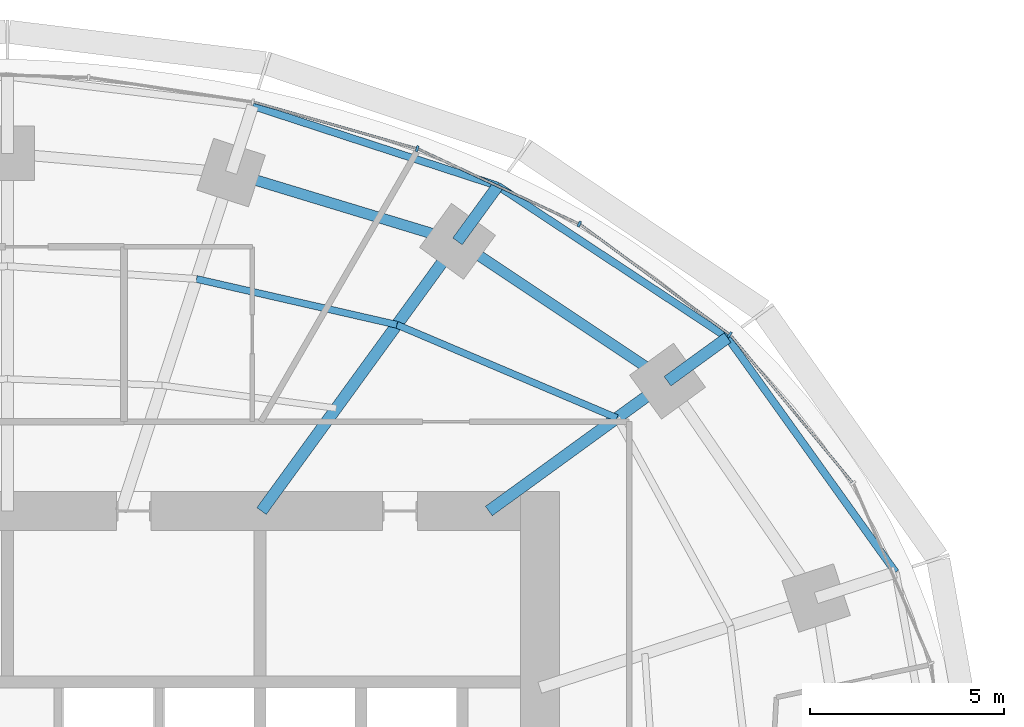
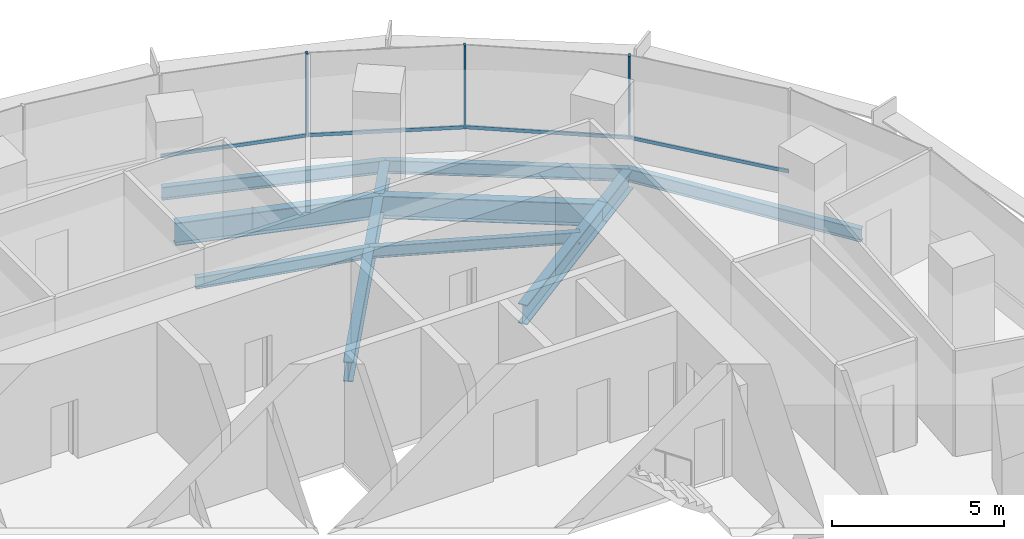
# One storey, part 8 of 14: 11 beams, 7 members, 2 elements without a shape of their own.
"""IFC4 building model written with IfcOpenShell, lengths in metres."""

from ifc_helpers import new_model, si_unit, direction, frame, origin, origin_2d, place, context, subcontext, project, spatial, rectangle, i_section, extrude, material, material_profile, profile_set, type_object, element, aggregate, save


model = new_model("IFC4")

# Units and contexts
model_context = context("Model", 3, precision=1e-05, world=origin(), true_north=direction((0.0, 1.0)))
body_context = subcontext(model_context, "Body", "Model", "MODEL_VIEW")
ifc_project = project(units=[si_unit("LENGTHUNIT", "METRE"), si_unit("AREAUNIT", "SQUARE_METRE"), si_unit("VOLUMEUNIT", "CUBIC_METRE"), si_unit("PLANEANGLEUNIT", "RADIAN"), si_unit("MASSUNIT", "GRAM", prefix="KILO")], contexts=[model_context])

# Site, building, storey
site_placement = place(None, origin())
site = spatial("IfcSite", under=ifc_project, at=site_placement, CompositionType="ELEMENT")
building_placement = place(site_placement, origin())
building = spatial("IfcBuilding", under=site, at=building_placement, Name="Marramba Exchange Tower", CompositionType="ELEMENT")
storey_placement = place(building_placement, frame((0.0, 0.0, 195.5)))
storey = spatial("IfcBuildingStorey", under=building, at=storey_placement, Name="L47", CompositionType="ELEMENT", Elevation=195.5)

# Beams
ifc_material_1 = material(Name="Steel AS/NZS 3679.2 grade 300", Category="steel")
ifc_material_profile_1 = material_profile(ifc_material_1, i_section(OverallWidth=0.300048828125, OverallDepth=0.699951171875, WebThickness=0.010009765625, FlangeThickness=0.031982421875, at=origin_2d()), Name="700WB173")
ifc_profile_set_1 = profile_set([ifc_material_profile_1], Name="Steel AS/NZS 3679.2 grade 300")
beam_type_1 = type_object("IfcBeamType", Name="Cantilever girder 700WB173", PredefinedType="BEAM", material=ifc_profile_set_1)
beam_1_placement = place(storey_placement, frame((16.98583984375, 12.3408203125, -0.510009765625), z_axis=(0.808962750283, 0.587859905636, 0.0), x_axis=(-0.587859905636, 0.808962750283, 0.0)))
element("IfcBeam", 1, at=beam_1_placement, inside=storey, type_object=beam_type_1, Name="Cantilever girder L47 TC03", PredefinedType="BEAM", context=body_context, shape_type="SweptSolid", body=[
    extrude(i_section(OverallWidth=0.300048828125, OverallDepth=0.699951171875, WebThickness=0.010009765625, FlangeThickness=0.031982421875, at=origin_2d()), origin(), (0.0, 0.0, 1.0), 1.9091796875),
])
beam_2_placement = place(storey_placement, frame((11.581298828125, 15.9404296875, -0.510009765625), z_axis=(0.587817766387, 0.808993370504, 0.0), x_axis=(-0.808993370504, 0.587817766387, 0.0)))
element("IfcBeam", 2, at=beam_2_placement, inside=storey, type_object=beam_type_1, Name="Cantilever girder L47 TC04", PredefinedType="BEAM", context=body_context, shape_type="SweptSolid", body=[
    extrude(i_section(OverallWidth=0.300048828125, OverallDepth=0.699951171875, WebThickness=0.010009765625, FlangeThickness=0.031982421875, at=origin_2d()), origin(), (0.0, 0.0, 1.0), 1.763916015625),
])
ifc_material_2 = material(Name="Steel AS/NZS 3679.1 grade 300", Category="steel")
ifc_material_profile_2 = material_profile(ifc_material_2, i_section(OverallWidth=0.177978515625, OverallDepth=0.406005859375, WebThickness=0.0078125, FlangeThickness=0.0126953125, FilletRadius=0.011474609375, at=origin_2d()), Name="410UB59.7")
ifc_profile_set_2 = profile_set([ifc_material_profile_2], Name="Steel AS/NZS 3679.1 grade 300")
beam_type_2 = type_object("IfcBeamType", Name="Floor joist 410UB59.7", PredefinedType="JOIST", material=ifc_profile_set_2)
beam_3_placement = place(storey_placement, frame((15.682373046875, 11.393798828125, -0.363037109375), z_axis=(-0.920674336375, 0.390331610738, 0.0), x_axis=(-0.390331610738, -0.920674336375, 0.0)))
element("IfcBeam", 3, at=beam_3_placement, inside=storey, type_object=beam_type_2, Name="Joist L47 bay 03 row 2", PredefinedType="JOIST", context=body_context, shape_type="SweptSolid", body=[
    extrude(i_section(OverallWidth=0.177978515625, OverallDepth=0.406005859375, WebThickness=0.0078125, FlangeThickness=0.0126953125, FilletRadius=0.011474609375, at=origin_2d()), origin(), (0.0, 0.0, 1.0), 6.1484375),
])
beam_4_placement = place(storey_placement, frame((10.021728515625, 13.793701171875, -0.363037109375), z_axis=(-0.974859652292, 0.222819788916, 0.0), x_axis=(-0.222819788916, -0.974859652292, 0.0)))
element("IfcBeam", 4, at=beam_4_placement, inside=storey, type_object=beam_type_2, Name="Joist L47 bay 04 row 2", PredefinedType="JOIST", context=body_context, shape_type="SweptSolid", body=[
    extrude(i_section(OverallWidth=0.177978515625, OverallDepth=0.406005859375, WebThickness=0.0078125, FlangeThickness=0.0126953125, FilletRadius=0.011474609375, at=origin_2d()), origin(), (0.0, 0.0, 1.0), 5.2900390625),
])

# Curtain wall, members
ifc_material_3 = material(Name="Aluminium framing, bronze anodised", Category="aluminium")
curtain_wall_type = type_object("IfcCurtainWallType", Name="Office ribbon curtain wall", PredefinedType="USERDEFINED", material=ifc_material_3)
curtain_wall_1_placement = place(storey_placement, origin())
curtain_wall_1 = element("IfcCurtainWall", 5, at=curtain_wall_1_placement, inside=storey, type_object=curtain_wall_type, Name="Curtain wall CW4 L47 F01-F05", ObjectType="RIBBON CURTAIN WALL", PredefinedType="USERDEFINED")
ifc_material_4 = material(Name="Aluminium mullion, bronze anodised", Category="aluminium")
ifc_material_profile_3 = material_profile(ifc_material_4, rectangle(XDim=0.159912109375, YDim=0.06005859375, at=origin_2d()), Name="CW4 mullion 60x160")
ifc_profile_set_3 = profile_set([ifc_material_profile_3], Name="Aluminium mullion, bronze anodised")
member_type_1 = type_object("IfcMemberType", Name="Office ribbon curtain wall mullion", PredefinedType="MULLION", material=ifc_profile_set_3)
member_1_placement = place(storey_placement, frame((18.587158203125, 13.53955078125, 0.800048828125), z_axis=(0.0, 0.0, 1.0), x_axis=(-0.593441317494, -0.804877259395, 0.0)))
member_1 = element("IfcMember", 6, at=member_1_placement, type_object=member_type_1, Name="CW4 mullion 1", PredefinedType="MULLION", context=body_context, shape_type="SweptSolid", body=[
    extrude(rectangle(XDim=0.159912109375, YDim=0.06005859375, at=origin_2d()), origin(), (0.0, 0.0, 1.0), 2.93994140625),
])
member_2_placement = place(storey_placement, frame((14.7158203125, 16.386474609375, 0.800048828125), z_axis=(0.0, 0.0, 1.0), x_axis=(-0.422133006189, -0.906533907301, 0.0)))
member_2 = element("IfcMember", 7, at=member_2_placement, type_object=member_type_1, Name="CW4 mullion 1", PredefinedType="MULLION", context=body_context, shape_type="SweptSolid", body=[
    extrude(rectangle(XDim=0.159912109375, YDim=0.06005859375, at=origin_2d()), origin(), (0.0, 0.0, 1.0), 2.93994140625),
])

# Curtain wall, member
curtain_wall_2_placement = place(storey_placement, origin())
curtain_wall_2 = element("IfcCurtainWall", 8, at=curtain_wall_2_placement, inside=storey, type_object=curtain_wall_type, Name="Curtain wall CW4 L47 F06-F10", ObjectType="RIBBON CURTAIN WALL", PredefinedType="USERDEFINED")
member_3_placement = place(storey_placement, frame((10.54541015625, 18.3232421875, 0.800048828125), z_axis=(0.0, 0.0, 1.0), x_axis=(-0.274248164656, -0.961658954195, 0.0)))
member_3 = element("IfcMember", 9, at=member_3_placement, type_object=member_type_1, Name="CW4 mullion 1", PredefinedType="MULLION", context=body_context, shape_type="SweptSolid", body=[
    extrude(rectangle(XDim=0.159912109375, YDim=0.06005859375, at=origin_2d()), origin(), (0.0, 0.0, 1.0), 2.93994140625),
])

# Member
ifc_material_5 = material(Name="Aluminium transom, bronze anodised", Category="aluminium")
ifc_material_profile_4 = material_profile(ifc_material_5, rectangle(XDim=0.06005859375, YDim=0.1201171875, at=origin_2d()), Name="CW4 transom 60x120")
ifc_profile_set_4 = profile_set([ifc_material_profile_4], Name="Aluminium transom, bronze anodised")
member_type_2 = type_object("IfcMemberType", Name="Office ribbon curtain wall transom", PredefinedType="USERDEFINED", material=ifc_profile_set_4)
member_4_placement = place(storey_placement, frame((21.73779296875, 9.74169921875, 0.830078125), z_axis=(-0.637375191043, 0.770553609973, 0.0), x_axis=(-0.770553609973, -0.637375191043, 0.0)))
member_4 = element("IfcMember", 10, at=member_4_placement, type_object=member_type_2, Name="CW4 sill transom", ObjectType="TRANSOM", PredefinedType="USERDEFINED", context=body_context, shape_type="SweptSolid", body=[
    extrude(rectangle(XDim=0.06005859375, YDim=0.1201171875, at=origin_2d()), origin(), (0.0, 0.0, 1.0), 4.905517578125),
])

member_5_placement = place(storey_placement, frame((18.56298828125, 13.557373046875, 0.830078125), z_axis=(-0.804874780157, 0.593444680039, 0.0), x_axis=(-0.593444680039, -0.804874780157, 0.0)))
member_5 = element("IfcMember", 11, at=member_5_placement, type_object=member_type_2, Name="CW4 sill transom", ObjectType="TRANSOM", PredefinedType="USERDEFINED", context=body_context, shape_type="SweptSolid", body=[
    extrude(rectangle(XDim=0.06005859375, YDim=0.1201171875, at=origin_2d()), origin(), (0.0, 0.0, 1.0), 4.745849609375),
])

member_6_placement = place(storey_placement, frame((14.688720703125, 16.399169921875, 0.830078125), z_axis=(-0.906548348139, 0.422101992989, 0.0), x_axis=(-0.422101992989, -0.906548348139, 0.0)))
member_6 = element("IfcMember", 12, at=member_6_placement, type_object=member_type_2, Name="CW4 sill transom", ObjectType="TRANSOM", PredefinedType="USERDEFINED", context=body_context, shape_type="SweptSolid", body=[
    extrude(rectangle(XDim=0.06005859375, YDim=0.1201171875, at=origin_2d()), origin(), (0.0, 0.0, 1.0), 4.53857421875),
])

aggregate(curtain_wall_1, [member_4, member_1, member_5, member_2, member_6])

member_7_placement = place(storey_placement, frame((10.5166015625, 18.33154296875, 0.830078125), z_axis=(-0.961661807825, 0.274238158125, 0.0), x_axis=(-0.274238158125, -0.961661807825, 0.0)))
member_7 = element("IfcMember", 13, at=member_7_placement, type_object=member_type_2, Name="CW4 sill transom", ObjectType="TRANSOM", PredefinedType="USERDEFINED", context=body_context, shape_type="SweptSolid", body=[
    extrude(rectangle(XDim=0.06005859375, YDim=0.1201171875, at=origin_2d()), origin(), (0.0, 0.0, 1.0), 4.340087890625),
])

aggregate(curtain_wall_2, [member_3, member_7])

# Beams
ifc_material_profile_5 = material_profile(ifc_material_1, i_section(OverallWidth=0.300048828125, OverallDepth=0.699951171875, WebThickness=0.010009765625, FlangeThickness=0.031982421875, at=origin_2d()), Name="700WB173")
ifc_profile_set_5 = profile_set([ifc_material_profile_5], Name="Steel AS/NZS 3679.2 grade 300")
beam_type_3 = type_object("IfcBeamType", Name="Radial girder 700WB173", PredefinedType="BEAM", material=ifc_profile_set_5)
beam_5_placement = place(storey_placement, frame((12.387451171875, 9.0, -0.510009765625), z_axis=(0.809025746925, 0.587773205252, 0.0), x_axis=(-0.587773205252, 0.809025746925, 0.0)))
element("IfcBeam", 14, at=beam_5_placement, inside=storey, type_object=beam_type_3, Name="Radial girder L47 TC03", PredefinedType="BEAM", context=body_context, shape_type="SweptSolid", body=[
    extrude(i_section(OverallWidth=0.300048828125, OverallDepth=0.699951171875, WebThickness=0.010009765625, FlangeThickness=0.031982421875, at=origin_2d()), origin(), (0.0, 0.0, 1.0), 5.683837890625),
])
beam_6_placement = place(storey_placement, frame((6.538818359375, 9.0, -0.510009765625), z_axis=(0.587782439969, 0.80901903764, 0.0), x_axis=(-0.80901903764, 0.587782439969, 0.0)))
element("IfcBeam", 15, at=beam_6_placement, inside=storey, type_object=beam_type_3, Name="Radial girder L47 TC04", PredefinedType="BEAM", context=body_context, shape_type="SweptSolid", body=[
    extrude(i_section(OverallWidth=0.300048828125, OverallDepth=0.699951171875, WebThickness=0.010009765625, FlangeThickness=0.031982421875, at=origin_2d()), origin(), (0.0, 0.0, 1.0), 8.578857421875),
])
ifc_material_profile_6 = material_profile(ifc_material_1, i_section(OverallWidth=0.27490234375, OverallDepth=0.800048828125, WebThickness=0.010009765625, FlangeThickness=0.02490234375, at=origin_2d()), Name="800WB168")
ifc_profile_set_6 = profile_set([ifc_material_profile_6], Name="Steel AS/NZS 3679.2 grade 300")
beam_type_4 = type_object("IfcBeamType", Name="Ring beam 800WB168", PredefinedType="SPANDREL", material=ifc_profile_set_6)
beam_7_placement = place(storey_placement, frame((16.98583984375, 12.3408203125, -0.56005859375), z_axis=(-0.832293151443, 0.554335737673, 0.0), x_axis=(-0.554335737673, -0.832293151443, 0.0)))
element("IfcBeam", 16, at=beam_7_placement, inside=storey, type_object=beam_type_4, Name="Ring beam L47 TC03-TC04", PredefinedType="SPANDREL", context=body_context, shape_type="SweptSolid", body=[
    extrude(i_section(OverallWidth=0.27490234375, OverallDepth=0.800048828125, WebThickness=0.010009765625, FlangeThickness=0.02490234375, at=origin_2d()), origin(), (0.0, 0.0, 1.0), 6.49365234375),
])
beam_8_placement = place(storey_placement, frame((11.581298828125, 15.9404296875, -0.56005859375), z_axis=(-0.956924542524, 0.290336735387, 0.0), x_axis=(-0.290336735387, -0.956924542524, 0.0)))
element("IfcBeam", 17, at=beam_8_placement, inside=storey, type_object=beam_type_4, Name="Ring beam L47 TC04-TC05", PredefinedType="SPANDREL", context=body_context, shape_type="SweptSolid", body=[
    extrude(i_section(OverallWidth=0.27490234375, OverallDepth=0.800048828125, WebThickness=0.010009765625, FlangeThickness=0.02490234375, at=origin_2d()), origin(), (0.0, 0.0, 1.0), 6.089599609375),
])
ifc_material_profile_7 = material_profile(ifc_material_2, i_section(OverallWidth=0.19091796875, OverallDepth=0.4599609375, WebThickness=0.010009765625, FlangeThickness=0.01611328125, FilletRadius=0.011474609375, at=origin_2d()), Name="460UB82.1")
ifc_profile_set_7 = profile_set([ifc_material_profile_7], Name="Steel AS/NZS 3679.1 grade 300")
beam_type_5 = type_object("IfcBeamType", Name="Slab edge beam 460UB82.1", PredefinedType="SPANDREL", material=ifc_profile_set_7)
beam_9_placement = place(storey_placement, frame((22.853515625, 7.425537109375, -0.389892578125), z_axis=(-0.582189457885, 0.813053156398, 0.0), x_axis=(-0.813053156398, -0.582189457885, 0.0)))
element("IfcBeam", 18, at=beam_9_placement, inside=storey, type_object=beam_type_5, Name="Slab edge beam L47 TC02-TC03", PredefinedType="SPANDREL", context=body_context, shape_type="SweptSolid", body=[
    extrude(i_section(OverallWidth=0.19091796875, OverallDepth=0.4599609375, WebThickness=0.010009765625, FlangeThickness=0.01611328125, FilletRadius=0.011474609375, at=origin_2d()), origin(), (0.0, 0.0, 1.0), 7.42578125),
])
beam_10_placement = place(storey_placement, frame((18.5302734375, 13.463134765625, -0.389892578125), z_axis=(-0.834459826117, 0.551068778463, 0.0), x_axis=(-0.551068778463, -0.834459826117, 0.0)))
element("IfcBeam", 19, at=beam_10_placement, inside=storey, type_object=beam_type_5, Name="Slab edge beam L47 TC03-TC04", PredefinedType="SPANDREL", context=body_context, shape_type="SweptSolid", body=[
    extrude(i_section(OverallWidth=0.19091796875, OverallDepth=0.4599609375, WebThickness=0.010009765625, FlangeThickness=0.01611328125, FilletRadius=0.011474609375, at=origin_2d()), origin(), (0.0, 0.0, 1.0), 7.0849609375),
])
beam_11_placement = place(storey_placement, frame((12.6181640625, 17.367431640625, -0.389892578125), z_axis=(-0.950608559101, 0.310392279809, 0.0), x_axis=(-0.310392279809, -0.950608559101, 0.0)))
element("IfcBeam", 20, at=beam_11_placement, inside=storey, type_object=beam_type_5, Name="Slab edge beam L47 TC04-TC05", PredefinedType="SPANDREL", context=body_context, shape_type="SweptSolid", body=[
    extrude(i_section(OverallWidth=0.19091796875, OverallDepth=0.4599609375, WebThickness=0.010009765625, FlangeThickness=0.01611328125, FilletRadius=0.011474609375, at=origin_2d()), origin(), (0.0, 0.0, 1.0), 6.6337890625),
])

save(model, "model.ifc")
